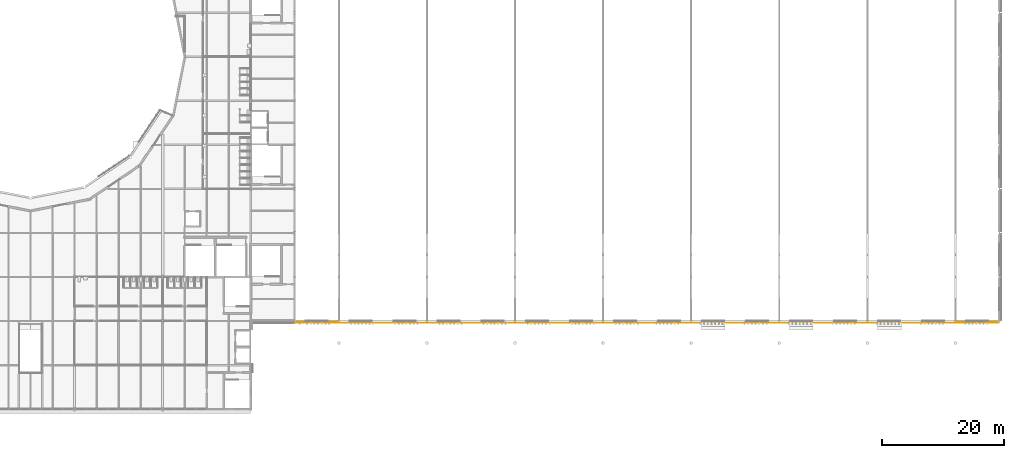
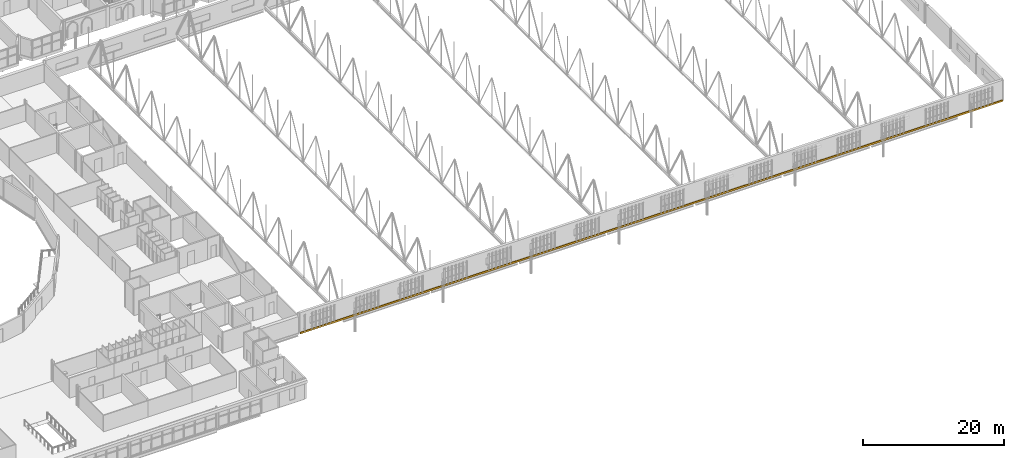
# One storey, part 132 of 142: 1 covering.
"""IFC4 building model written with IfcOpenShell, lengths in metres."""

from ifc_helpers import new_model, si_unit, direction, frame, origin, origin_2d, place, context, subcontext, project, spatial, rectangle, extrude, material, layer, layer_set, type_object, element, save


model = new_model("IFC4")

# Units and contexts
model_context = context("Model", 3, precision=1e-05, world=origin(), true_north=direction((0.0, 1.0)))
body_context = subcontext(model_context, "Body", "Model", "MODEL_VIEW")
ifc_project = project(units=[si_unit("LENGTHUNIT", "METRE"), si_unit("AREAUNIT", "SQUARE_METRE"), si_unit("VOLUMEUNIT", "CUBIC_METRE"), si_unit("PLANEANGLEUNIT", "RADIAN"), si_unit("MASSUNIT", "GRAM", prefix="KILO")], contexts=[model_context])

# Site, building, storey
site_placement = place(None, origin())
site = spatial("IfcSite", under=ifc_project, at=site_placement, CompositionType="ELEMENT")
building_placement = place(site_placement, origin())
building = spatial("IfcBuilding", under=site, at=building_placement, Name="Kupolbacken Congress Centre", CompositionType="ELEMENT")
storey_placement = place(building_placement, frame((0.0, 0.0, 14.39990234375)))
storey = spatial("IfcBuildingStorey", under=building, at=storey_placement, Name="L04", CompositionType="ELEMENT", Elevation=14.39990234375)

# Covering
ifc_material = material(Name="Brick cladding", Category="masonry")
ifc_layer = layer(ifc_material, 0.10791015625)
ifc_layer_set = layer_set([ifc_layer], Name="Brick cladding")
covering_type = type_object("IfcCoveringType", Name="CV2 brick cladding band 108", PredefinedType="CLADDING", material=ifc_layer_set)
covering_placement = place(storey_placement, frame((144.0, 42.93603515625, 0.0), z_axis=(0.0, 0.0, 1.0), x_axis=(1.0, 0.0, 0.0)))
element("IfcCovering", 1, at=covering_placement, inside=storey, type_object=covering_type, Name="E/H/S/L04/439/band", PredefinedType="CLADDING", context=body_context, shape_type="SweptSolid", body=[
    extrude(rectangle(XDim=114.89990234375, YDim=0.10791015625, at=origin_2d()), origin(), (0.0, 0.0, 1.0), 0.300048828125),
])

save(model, "model.ifc")
